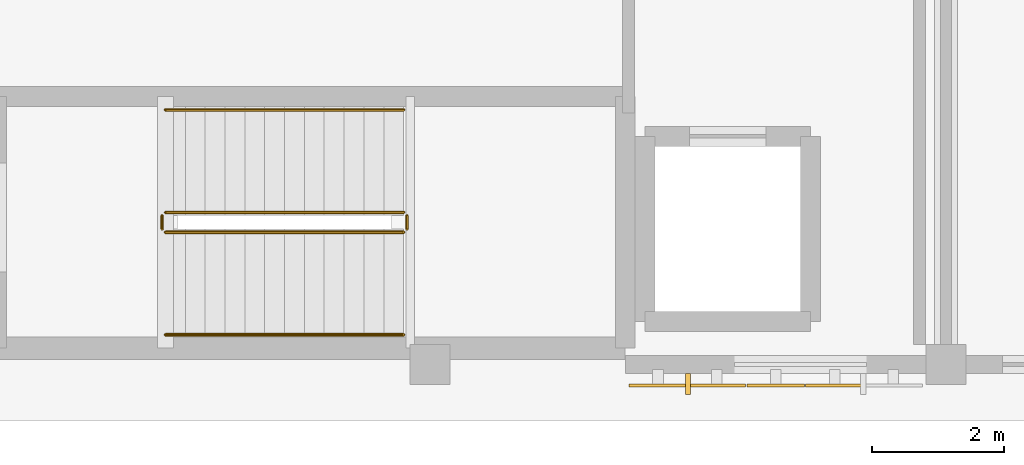
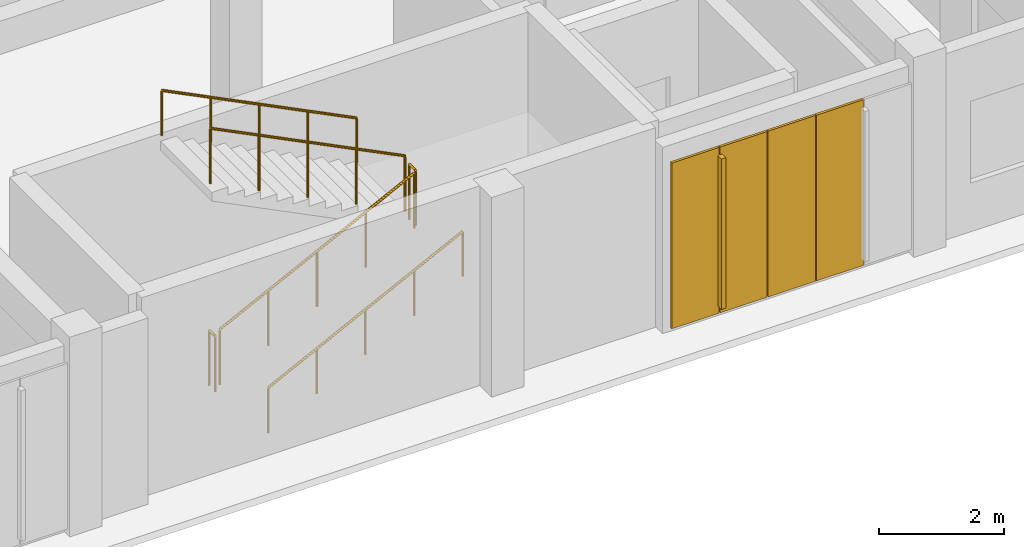
# One storey, part 56 of 67: 6 railings, 4 coverings, 1 shading device.
"""IFC4 building model written with IfcOpenShell, lengths in metres."""

from ifc_helpers import new_model, si_unit, direction, frame, origin, origin_2d, place, context, subcontext, project, spatial, rectangle, circle, extrude, material, layer, layer_set, type_object, element, save


model = new_model("IFC4")

# Units and contexts
model_context = context("Model", 3, precision=1e-05, world=origin(), true_north=direction((0.0, 1.0)))
body_context = subcontext(model_context, "Body", "Model", "MODEL_VIEW")
ifc_project = project(units=[si_unit("LENGTHUNIT", "METRE"), si_unit("AREAUNIT", "SQUARE_METRE"), si_unit("VOLUMEUNIT", "CUBIC_METRE"), si_unit("PLANEANGLEUNIT", "RADIAN"), si_unit("MASSUNIT", "GRAM", prefix="KILO")], contexts=[model_context])

# Site, building, storey
site_placement = place(None, origin())
site = spatial("IfcSite", under=ifc_project, at=site_placement, CompositionType="ELEMENT")
building_placement = place(site_placement, origin())
building = spatial("IfcBuilding", under=site, at=building_placement, Name="Tizgana Railside Sports Hall", CompositionType="ELEMENT")
storey_placement = place(building_placement, frame((0.0, 0.0, 12.0)))
storey = spatial("IfcBuildingStorey", under=building, at=storey_placement, Name="L02", CompositionType="ELEMENT", Elevation=12.0)

# Shading device
ifc_material_1 = material(Name="Glulam GL28h", Category="wood")
shading_device_type = type_object("IfcShadingDeviceType", Name="Glulam Vertical Brise-Soleil Fin 320", PredefinedType="JALOUSIE", material=ifc_material_1)
shading_device_placement = place(storey_placement, frame((50.699951171875, -0.2939453125, 0.35009765625), z_axis=(0.0, 0.0, 1.0), x_axis=(-1.0, 0.0, 0.0)))
element("IfcShadingDevice", 1, at=shading_device_placement, inside=storey, type_object=shading_device_type, Name="L02 Glulam Fin FIN-0042", PredefinedType="JALOUSIE", context=body_context, shape_type="SweptSolid", body=[
    extrude(rectangle(XDim=0.080078125, YDim=0.320068359375, at=origin_2d()), origin(), (0.0, 0.0, 1.0), 2.93994140625),
])

# Coverings
ifc_material_2 = material(Name="Anodised perforated aluminium screen", Category="aluminium")
ifc_layer = layer(ifc_material_2, 0.044921875, Name="Anodised perforated aluminium screen")
ifc_layer_set = layer_set([ifc_layer], Name="Anodised perforated aluminium screen")
covering_type = type_object("IfcCoveringType", Name="Perforated Aluminium Hall Screen 900", PredefinedType="CLADDING", material=ifc_layer_set)
for number, where, z_axis, x_axis, name in (
    (2, (52.9150390625, -0.31494140625, 0.2001953125), (0.0, 0.0, 1.0), (-1.0, 0.0, 0.0), "L02 Perforated Screen SCR-0571"),
    (3, (52.02490234375, -0.31494140625, 0.2001953125), (0.0, 0.0, 1.0), (-1.0, 0.0, 0.0), "L02 Perforated Screen SCR-0572"),
    (4, (51.135009765625, -0.31494140625, 0.2001953125), (0.0, 0.0, 1.0), (-1.0, 0.0, 0.0), "L02 Perforated Screen SCR-0573"),
    (5, (50.2451171875, -0.31494140625, 0.2001953125), (0.0, 0.0, 1.0), (-1.0, 0.0, 0.0), "L02 Perforated Screen SCR-0574"),
):
    element("IfcCovering", number, at=place(storey_placement, frame(where, z_axis=z_axis, x_axis=x_axis)), inside=storey, type_object=covering_type, Name=name, PredefinedType="CLADDING", context=body_context, shape_type="SweptSolid", body=[
        extrude(rectangle(XDim=0.8720703125, YDim=0.044921875, at=origin_2d()), origin(), (0.0, 0.0, 1.0), 3.239990234375),
    ])

# Railings
ifc_material_3 = material(Name="Galvanised steel sheet", Category="steel")
railing_type_1 = type_object("IfcRailingType", Name="Safety Balustrade Guard 1100", PredefinedType="BALUSTRADE", material=ifc_material_3)
railing_1_placement = place(storey_placement, frame((42.800048828125, 2.0, 0.14990234375)))
element("IfcRailing", 6, at=railing_1_placement, inside=storey, type_object=railing_type_1, Name="L02 ST-02 stair guard 1", PredefinedType="BALUSTRADE", context=body_context, shape_type="SweptSolid", body=[
    extrude(circle(Radius=0.02392578125, at=origin_2d()), frame((0.0, 0.0, 1.076171875), z_axis=(0.894415058897, 0.0, 0.447237858884), x_axis=(0.0, 1.0, 0.0)), (0.0, 0.0, 1.0), 4.02490234375),
    extrude(circle(Radius=0.02099609375, at=origin_2d()), origin(), (0.0, 0.0, 1.0), 1.052001953125),
    extrude(circle(Radius=0.02099609375, at=origin_2d()), frame((0.89990234375, 0.0, 0.449951171875)), (0.0, 0.0, 1.0), 1.052001953125),
    extrude(circle(Radius=0.02099609375, at=origin_2d()), frame((1.7998046875, 0.0, 0.89990234375)), (0.0, 0.0, 1.0), 1.052001953125),
    extrude(circle(Radius=0.02099609375, at=origin_2d()), frame((2.699951171875, 0.0, 1.35009765625)), (0.0, 0.0, 1.0), 1.052001953125),
    extrude(circle(Radius=0.02099609375, at=origin_2d()), frame((3.599853515625, 0.0, 1.800048828125)), (0.0, 0.0, 1.0), 1.052001953125),
])
railing_2_placement = place(storey_placement, frame((46.449951171875, 2.050048828125, 1.949951171875)))
element("IfcRailing", 7, at=railing_2_placement, inside=storey, type_object=railing_type_1, Name="L02 ST-02 stair guard 2", PredefinedType="BALUSTRADE", context=body_context, shape_type="SweptSolid", body=[
    extrude(circle(Radius=0.02392578125, at=origin_2d()), frame((0.0, 0.0, 1.076171875), z_axis=(0.0, 1.0, 0.0), x_axis=(-1.0, 0.0, 0.0)), (0.0, 0.0, 1.0), 0.199951171875),
    extrude(circle(Radius=0.02099609375, at=origin_2d()), origin(), (0.0, 0.0, 1.0), 1.052001953125),
    extrude(circle(Radius=0.02099609375, at=origin_2d()), frame((0.0, 0.199951171875, 0.0)), (0.0, 0.0, 1.0), 1.052001953125),
])
railing_3_placement = place(storey_placement, frame((46.39990234375, 2.300048828125, 2.10009765625)))
element("IfcRailing", 8, at=railing_3_placement, inside=storey, type_object=railing_type_1, Name="L02 ST-02 stair guard 3", PredefinedType="BALUSTRADE", context=body_context, shape_type="SweptSolid", body=[
    extrude(circle(Radius=0.02392578125, at=origin_2d()), frame((0.0, 0.0, 1.076171875), z_axis=(-0.894439322774, 0.0, 0.447189331129), x_axis=(0.0, -1.0, 0.0)), (0.0, 0.0, 1.0), 4.024658203125),
    extrude(circle(Radius=0.02099609375, at=origin_2d()), origin(), (0.0, 0.0, 1.0), 1.052001953125),
    extrude(circle(Radius=0.02099609375, at=origin_2d()), frame((-0.89990234375, 0.0, 0.449951171875)), (0.0, 0.0, 1.0), 1.052001953125),
    extrude(circle(Radius=0.02099609375, at=origin_2d()), frame((-1.7998046875, 0.0, 0.89990234375)), (0.0, 0.0, 1.0), 1.052001953125),
    extrude(circle(Radius=0.02099609375, at=origin_2d()), frame((-2.699951171875, 0.0, 1.349853515625)), (0.0, 0.0, 1.0), 1.052001953125),
    extrude(circle(Radius=0.02099609375, at=origin_2d()), frame((-3.599853515625, 0.0, 1.7998046875)), (0.0, 0.0, 1.0), 1.052001953125),
])
railing_4_placement = place(storey_placement, frame((42.75, 2.050048828125, 0.0)))
element("IfcRailing", 9, at=railing_4_placement, inside=storey, type_object=railing_type_1, Name="L02 ST-02 stair guard 4", PredefinedType="BALUSTRADE", context=body_context, shape_type="SweptSolid", body=[
    extrude(circle(Radius=0.02392578125, at=origin_2d()), frame((0.0, 0.0, 1.076171875), z_axis=(0.0, 1.0, 0.0), x_axis=(-1.0, 0.0, 0.0)), (0.0, 0.0, 1.0), 0.199951171875),
    extrude(circle(Radius=0.02099609375, at=origin_2d()), origin(), (0.0, 0.0, 1.0), 1.052001953125),
    extrude(circle(Radius=0.02099609375, at=origin_2d()), frame((0.0, 0.199951171875, 0.0)), (0.0, 0.0, 1.0), 1.052001953125),
])
ifc_material_4 = material(Name="Brushed stainless steel", Category="steel")
railing_type_2 = type_object("IfcRailingType", Name="Stair & Ramp Wall Handrail 900", PredefinedType="HANDRAIL", material=ifc_material_4)
railing_5_placement = place(storey_placement, frame((42.800048828125, 0.449951171875, 0.14990234375)))
element("IfcRailing", 10, at=railing_5_placement, inside=storey, type_object=railing_type_2, Name="L02 ST-02 stair handrail 1", PredefinedType="HANDRAIL", context=body_context, shape_type="SweptSolid", body=[
    extrude(circle(Radius=0.02392578125, at=origin_2d()), frame((0.0, 0.0, 0.8759765625), z_axis=(0.894415058897, 0.0, 0.447237858884), x_axis=(0.0, 1.0, 0.0)), (0.0, 0.0, 1.0), 4.02490234375),
    extrude(circle(Radius=0.02099609375, at=origin_2d()), origin(), (0.0, 0.0, 1.0), 0.851806640625),
    extrude(circle(Radius=0.02099609375, at=origin_2d()), frame((0.89990234375, 0.0, 0.449951171875)), (0.0, 0.0, 1.0), 0.851806640625),
    extrude(circle(Radius=0.02099609375, at=origin_2d()), frame((1.7998046875, 0.0, 0.89990234375)), (0.0, 0.0, 1.0), 0.851806640625),
    extrude(circle(Radius=0.02099609375, at=origin_2d()), frame((2.699951171875, 0.0, 1.35009765625)), (0.0, 0.0, 1.0), 0.851806640625),
    extrude(circle(Radius=0.02099609375, at=origin_2d()), frame((3.599853515625, 0.0, 1.800048828125)), (0.0, 0.0, 1.0), 0.851806640625),
])
railing_6_placement = place(storey_placement, frame((46.39990234375, 3.85009765625, 2.10009765625)))
element("IfcRailing", 11, at=railing_6_placement, inside=storey, type_object=railing_type_2, Name="L02 ST-02 stair handrail 2", PredefinedType="HANDRAIL", context=body_context, shape_type="SweptSolid", body=[
    extrude(circle(Radius=0.02392578125, at=origin_2d()), frame((0.0, 0.0, 0.8759765625), z_axis=(-0.894439322774, 0.0, 0.447189331129), x_axis=(0.0, -1.0, 0.0)), (0.0, 0.0, 1.0), 4.024658203125),
    extrude(circle(Radius=0.02099609375, at=origin_2d()), origin(), (0.0, 0.0, 1.0), 0.851806640625),
    extrude(circle(Radius=0.02099609375, at=origin_2d()), frame((-0.89990234375, 0.0, 0.449951171875)), (0.0, 0.0, 1.0), 0.851806640625),
    extrude(circle(Radius=0.02099609375, at=origin_2d()), frame((-1.7998046875, 0.0, 0.89990234375)), (0.0, 0.0, 1.0), 0.851806640625),
    extrude(circle(Radius=0.02099609375, at=origin_2d()), frame((-2.699951171875, 0.0, 1.349853515625)), (0.0, 0.0, 1.0), 0.851806640625),
    extrude(circle(Radius=0.02099609375, at=origin_2d()), frame((-3.599853515625, 0.0, 1.7998046875)), (0.0, 0.0, 1.0), 0.851806640625),
])

save(model, "model.ifc")
